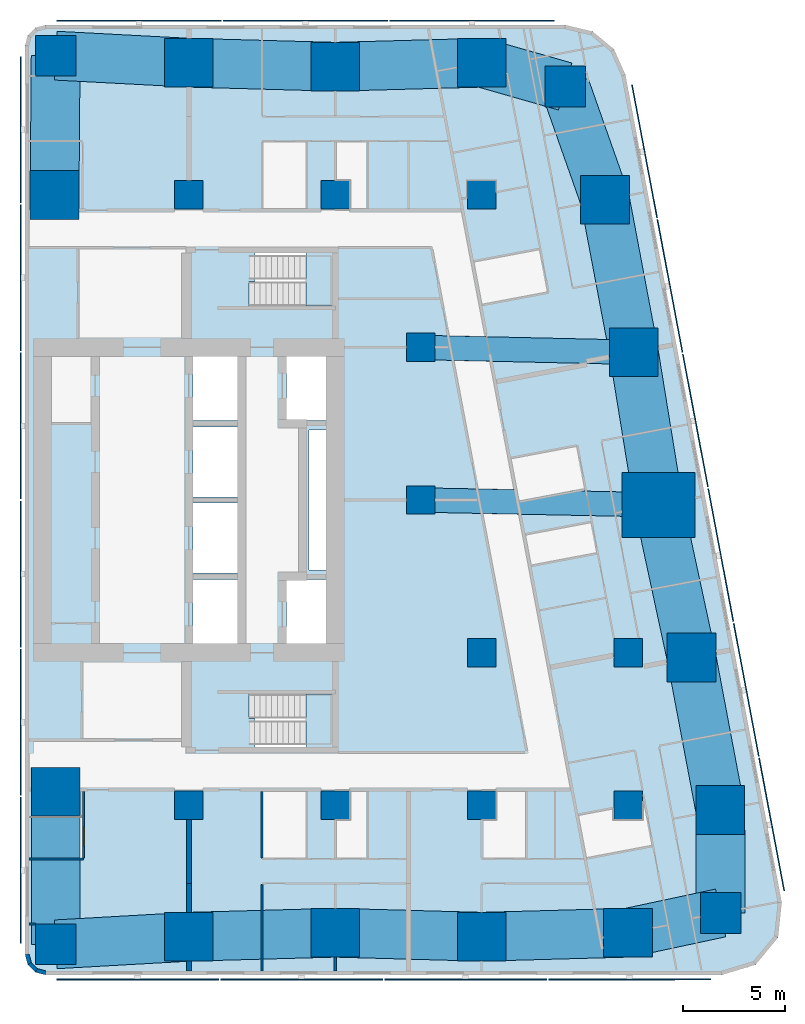
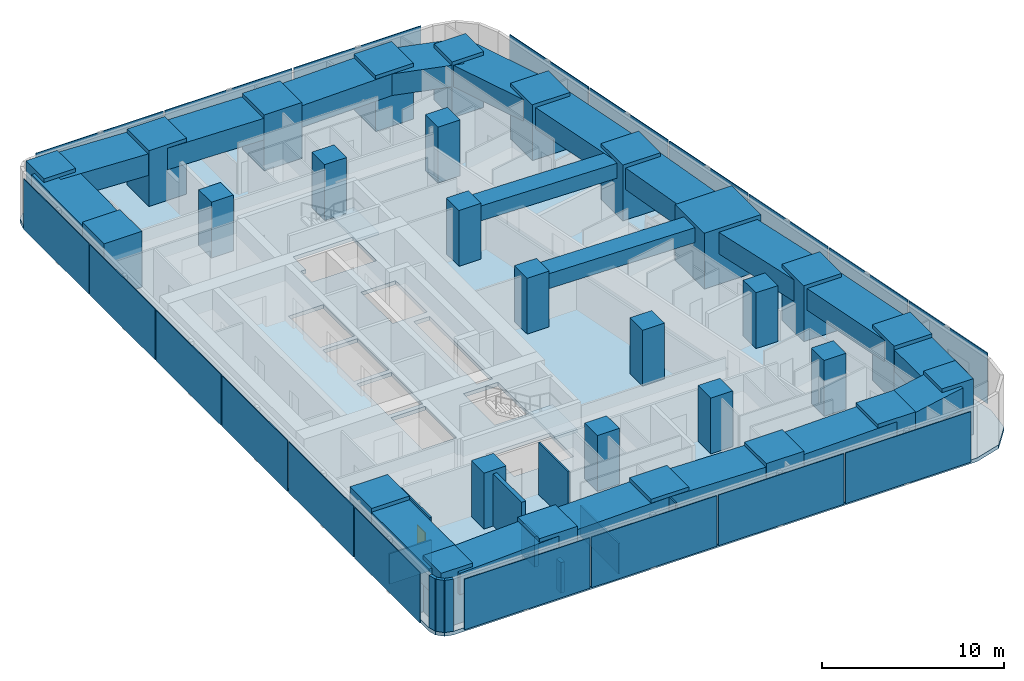
# One storey, part 1 of 10: 29 columns, 19 beams, 19 plates, 12 walls, 3 slabs, 1 door, 1 opening, 2 elements without a shape of their own.
"""IFC4 building model written with IfcOpenShell, lengths in metres."""

import ifcopenshell
import ifcopenshell.guid

model = None  # the IFC model being written
_history = None  # IfcOwnerHistory: only IFC2X3 demands one
_inside = {}  # id of a spatial element -> (the spatial element, [elements in it])
_under = {}  # id of a project, library or spatial element -> (it, [spatial elements below it])
_declared = {}  # id of a project -> (the project, [libraries it declares])
_typed = {}  # id of a type object -> (the type object, [elements of that type])
_made_of = {}  # id of a material, layer set ... -> (it, [elements and type objects made of it])


def new_model(schema):
    """Start an empty IFC model of exactly this schema.

    Asked for "IFC4X3", IfcOpenShell would pick the latest addendum, in which some entities
    have other attributes; the version numbers below select the first issue.
    IFC2X3 requires an IfcOwnerHistory on every rooted entity: one is made here for all.
    """
    global model, _history
    if schema == "IFC4X3":
        model = ifcopenshell.file(schema_version=(4, 3, 0, 0))
    else:
        model = ifcopenshell.file(schema=schema)
    _inside.clear()
    _under.clear()
    _declared.clear()
    _typed.clear()
    _made_of.clear()
    _history = None
    if model.schema == "IFC2X3":
        org = make("IfcOrganization", Name="unknown")
        user = make(
            "IfcPersonAndOrganization",
            ThePerson=make("IfcPerson", FamilyName="unknown"),
            TheOrganization=org,
        )
        app = make(
            "IfcApplication",
            ApplicationDeveloper=org,
            Version="unknown",
            ApplicationFullName="unknown",
            ApplicationIdentifier="unknown",
        )
        _history = make(
            "IfcOwnerHistory",
            OwningUser=user,
            OwningApplication=app,
            ChangeAction="ADDED",
            CreationDate=0,
        )
    return model


def make(cls, **values):
    """One entity of the class cls with the attributes given. An attribute that is None is left unset."""
    return model.create_entity(
        cls, **{name: value for name, value in values.items() if value is not None}
    )


def rooted(cls, **values):
    """An entity with a GlobalId (a new one), such as an element, a storey or a relation."""
    return make(cls, GlobalId=ifcopenshell.guid.new(), OwnerHistory=_history, **values)


def si_unit(unit_type, name, prefix=None):
    """IfcSIUnit, for example si_unit("LENGTHUNIT", "METRE", prefix="MILLI")."""
    return make("IfcSIUnit", UnitType=unit_type, Prefix=prefix, Name=name)


def assignment(units):
    """IfcUnitAssignment: the units of a project."""
    return None if units is None else make("IfcUnitAssignment", Units=units)


def point(xyz):
    """IfcCartesianPoint."""
    return None if xyz is None else make("IfcCartesianPoint", Coordinates=xyz)


def direction(xyz):
    """IfcDirection."""
    return None if xyz is None else make("IfcDirection", DirectionRatios=xyz)


def frame(location, z_axis=None, x_axis=None):
    """IfcAxis2Placement3D, a coordinate frame: its origin and axes. An axis left out is left unset."""
    return make(
        "IfcAxis2Placement3D",
        Location=point(location),
        Axis=direction(z_axis),
        RefDirection=direction(x_axis),
    )


def frame_2d(location, x_axis=None):
    """IfcAxis2Placement2D, a coordinate frame in the plane: its origin and x axis."""
    return make(
        "IfcAxis2Placement2D", Location=point(location), RefDirection=direction(x_axis)
    )


def origin():
    """The frame at (0, 0, 0) with its axes left unset."""
    return frame((0.0, 0.0, 0.0))


def origin_2d():
    """The frame at (0, 0) in the plane with its x axis left unset."""
    return frame_2d((0.0, 0.0))


def place(relative_to, where):
    """IfcLocalPlacement: puts the frame where relative to a parent placement (None: the world)."""
    return make(
        "IfcLocalPlacement", PlacementRelTo=relative_to, RelativePlacement=where
    )


def context(
    kind, dimensions, precision=None, world=None, true_north=None, identifier=None
):
    """IfcGeometricRepresentationContext, for example the 3D "Model" context."""
    return make(
        "IfcGeometricRepresentationContext",
        ContextIdentifier=identifier,
        ContextType=kind,
        CoordinateSpaceDimension=dimensions,
        Precision=precision,
        WorldCoordinateSystem=world,
        TrueNorth=true_north,
    )


def subcontext(parent, identifier, kind, view, scale=None):
    """IfcGeometricRepresentationSubContext, for example "Body" below "Model"."""
    return make(
        "IfcGeometricRepresentationSubContext",
        ContextIdentifier=identifier,
        ContextType=kind,
        ParentContext=parent,
        TargetScale=scale,
        TargetView=view,
    )


def project(units=None, contexts=None):
    """IfcProject with its units and contexts."""
    return rooted(
        "IfcProject",
        Name="project",
        RepresentationContexts=contexts,
        UnitsInContext=assignment(units),
    )


def spatial(cls, under=None, at=None, **own):
    """A site, building, storey or space (cls), placed at a placement, below another one or the project."""
    s = rooted(cls, ObjectPlacement=at, **own)
    if under is not None:
        _under.setdefault(under.id(), (under, []))[1].append(s)
    return s


def polyline(points):
    """IfcPolyline through the points."""
    return make("IfcPolyline", Points=[point(p) for p in points])


def profile(cls, at=None, kind="AREA", **sizes):
    """A parametric profile (cls). Its sizes go by their IFC names, for example OverallWidth=200.0."""
    return make(cls, ProfileType=kind, Position=at, **sizes)


def rectangle(**sizes):
    """IfcRectangleProfileDef."""
    return profile("IfcRectangleProfileDef", **sizes)


def outline(outer, holes=None, kind="AREA"):
    """IfcArbitraryClosedProfileDef: a profile drawn as a closed curve; with holes, ...WithVoids."""
    if holes is None:
        return make("IfcArbitraryClosedProfileDef", ProfileType=kind, OuterCurve=outer)
    return make(
        "IfcArbitraryProfileDefWithVoids",
        ProfileType=kind,
        OuterCurve=outer,
        InnerCurves=holes,
    )


def extrude(swept, where, along, depth):
    """IfcExtrudedAreaSolid: the profile swept, set in the frame where, extruded along a direction by depth."""
    return make(
        "IfcExtrudedAreaSolid",
        SweptArea=swept,
        Position=where,
        ExtrudedDirection=direction(along),
        Depth=depth,
    )


def shape(context_of_items, identifier, shape_type, items):
    """IfcShapeRepresentation: the items that make up one representation, for example the "Body"."""
    return make(
        "IfcShapeRepresentation",
        ContextOfItems=context_of_items,
        RepresentationIdentifier=identifier,
        RepresentationType=shape_type,
        Items=items,
    )


def material(Name=None, Category=None):
    """IfcMaterial."""
    return make("IfcMaterial", Name=Name, Category=Category)


def layer(
    of_material, thickness, ventilated=None, Name=None, Category=None, Priority=None
):
    """IfcMaterialLayer: one layer of a wall or slab, of a material (None: an air gap)."""
    return make(
        "IfcMaterialLayer",
        Material=of_material,
        LayerThickness=thickness,
        IsVentilated=ventilated,
        Name=Name,
        Category=Category,
        Priority=Priority,
    )


def layer_set(layers, Name=None):
    """IfcMaterialLayerSet."""
    return make("IfcMaterialLayerSet", MaterialLayers=layers, LayerSetName=Name)


def material_profile(
    of_material, cross_section, Name=None, Category=None, Priority=None
):
    """IfcMaterialProfile: a cross section and its material."""
    return make(
        "IfcMaterialProfile",
        Name=Name,
        Material=of_material,
        Profile=cross_section,
        Priority=Priority,
        Category=Category,
    )


def profile_set(profiles, Name=None, composite=None):
    """IfcMaterialProfileSet."""
    return make(
        "IfcMaterialProfileSet",
        Name=Name,
        MaterialProfiles=profiles,
        CompositeProfile=composite,
    )


def made_of(thing, what):
    """Note that an element or type object is made of a material, layer set ...; save() writes the relation."""
    if what is not None:
        _made_of.setdefault(what.id(), (what, []))[1].append(thing)
    return thing


def type_object(cls, material=None, **own):
    """A type object (cls), such as IfcWallType, which elements share."""
    return made_of(rooted(cls, **own), material)


def element(
    cls,
    number,
    at=None,
    inside=None,
    cuts=None,
    type_object=None,
    material=None,
    context=None,
    identifier="Body",
    shape_type=None,
    held_by="IfcProductDefinitionShape",
    body=None,
    shapes=None,
    **own,
):
    """One element of the class cls, such as IfcWall. Its Tag is "e" and its number.

    at: its placement. inside: the storey or other place that contains it. cuts: it is an
    opening in that element (IfcRelVoidsElement). A single representation is given by context,
    identifier, shape_type and body (its items); several are given by shapes. held_by: the class
    of the entity that holds the representations. save() writes the other relations.
    """
    e = rooted(cls, Tag="e%d" % number, ObjectPlacement=at, **own)
    if body is not None:
        shapes = [shape(context, identifier, shape_type, body)]
    if shapes is not None:
        e.Representation = make(held_by, Representations=shapes)
    if inside is not None:
        _inside.setdefault(inside.id(), (inside, []))[1].append(e)
    if cuts is not None:
        rooted(
            "IfcRelVoidsElement", RelatingBuildingElement=cuts, RelatedOpeningElement=e
        )
    if type_object is not None:
        _typed.setdefault(type_object.id(), (type_object, []))[1].append(e)
    return made_of(e, material)


def fill(opening, filler):
    """IfcRelFillsElement: the door or window that sits in an opening."""
    return rooted(
        "IfcRelFillsElement",
        RelatingOpeningElement=opening,
        RelatedBuildingElement=filler,
    )


def aggregate(whole, parts):
    """IfcRelAggregates: a whole, such as a stair, and the parts it consists of."""
    return rooted("IfcRelAggregates", RelatingObject=whole, RelatedObjects=parts)


def save(model, path):
    """Write the relations noted so far, then the file.

    IfcRelAggregates (storeys below a building ...), IfcRelContainedInSpatialStructure (elements
    in a storey), IfcRelDefinesByType, IfcRelAssociatesMaterial and IfcRelDeclares: one each for
    every whole, place, type object, material and project.
    """
    for whole, parts in _under.values():
        aggregate(whole, parts)
    for where, things in _inside.values():
        rooted(
            "IfcRelContainedInSpatialStructure",
            RelatedElements=things,
            RelatingStructure=where,
        )
    for kind, things in _typed.values():
        rooted("IfcRelDefinesByType", RelatedObjects=things, RelatingType=kind)
    for what, things in _made_of.values():
        rooted("IfcRelAssociatesMaterial", RelatedObjects=things, RelatingMaterial=what)
    for by, libraries in _declared.values():
        rooted("IfcRelDeclares", RelatingContext=by, RelatedDefinitions=libraries)
    model.write(path)


model = new_model("IFC4")

# Units and contexts
model_context = context("Model", 3, precision=1e-05, world=origin(), true_north=direction((0.0, 1.0)))
body_context = subcontext(model_context, "Body", "Model", "MODEL_VIEW")
ifc_project = project(units=[si_unit("LENGTHUNIT", "METRE"), si_unit("AREAUNIT", "SQUARE_METRE"), si_unit("VOLUMEUNIT", "CUBIC_METRE"), si_unit("PLANEANGLEUNIT", "RADIAN"), si_unit("MASSUNIT", "GRAM", prefix="KILO")], contexts=[model_context])

# Site, building, storey
site_placement = place(None, origin())
site = spatial("IfcSite", under=ifc_project, at=site_placement, CompositionType="ELEMENT")
building_placement = place(site_placement, origin())
building = spatial("IfcBuilding", under=site, at=building_placement, Name="Sheger Commons Tower", CompositionType="ELEMENT")
storey_placement = place(building_placement, frame((0.0, 0.0, 238.699951171875)))
storey = spatial("IfcBuildingStorey", under=building, at=storey_placement, Name="L61", CompositionType="ELEMENT", Elevation=238.699951171875)

# Columns
ifc_material_1 = material(Name="Concrete C50/60", Category="concrete")
ifc_material_profile_1 = material_profile(ifc_material_1, rectangle(XDim=3.60009765625, YDim=3.199951171875, at=origin_2d()), Name="RC 3600x3200")
ifc_profile_set_1 = profile_set([ifc_material_profile_1], Name="Concrete C50/60")
column_type_1 = type_object("IfcColumnType", Name="COLUMN PIER RC 3600x3200", PredefinedType="COLUMN", material=ifc_profile_set_1)
column_placement = place(storey_placement, frame((44.697021484375, 22.262939453125, 0.0), z_axis=(0.0, 0.0, 1.0), x_axis=(1.0, 0.0, 0.0)))
element("IfcColumn", 1, at=column_placement, inside=storey, type_object=column_type_1, Name="Pier 7/D+E/D L61", PredefinedType="COLUMN", context=body_context, shape_type="SweptSolid", body=[
    extrude(rectangle(XDim=3.60009765625, YDim=3.199951171875, at=origin_2d()), origin(), (0.0, 0.0, 1.0), 3.75),
])
ifc_material_2 = material(Name="Concrete C50/60", Category="concrete")
ifc_material_profile_2 = material_profile(ifc_material_2, rectangle(XDim=1.39990234375, YDim=1.39990234375, at=origin_2d()), Name="RC 1400x1400")
ifc_profile_set_2 = profile_set([ifc_material_profile_2], Name="Concrete C50/60")
column_type_2 = type_object("IfcColumnType", Name="COLUMN RC 1400x1400", PredefinedType="COLUMN", material=ifc_profile_set_2)
for number, where, z_axis, x_axis, name in (
    (2, (21.60009765625, 7.5, 0.0), (0.0, 0.0, 1.0), (1.0, 0.0, 0.0), "Column 4/B L61"),
    (3, (28.800048828125, 7.5, 0.0), (0.0, 0.0, 1.0), (1.0, 0.0, 0.0), "Column 5/B L61"),
    (4, (36.0, 7.5, 0.0), (0.0, 0.0, 1.0), (1.0, 0.0, 0.0), "Column 6/B L61"),
    (5, (43.199951171875, 7.5, 0.0), (0.0, 0.0, 1.0), (1.0, 0.0, 0.0), "Column 7/B L61"),
    (6, (36.0, 15.0, 0.0), (0.0, 0.0, 1.0), (1.0, 0.0, 0.0), "Column 6/C L61"),
    (7, (43.199951171875, 15.0, 0.0), (0.0, 0.0, 1.0), (1.0, 0.0, 0.0), "Column 7/C L61"),
    (8, (33.0, 22.5, 0.0), (0.0, 0.0, 1.0), (1.0, 0.0, 0.0), "Column 6-3000/D L61"),
    (9, (33.0, 30.0, 0.0), (0.0, 0.0, 1.0), (1.0, 0.0, 0.0), "Column 6-3000/E L61"),
    (10, (21.60009765625, 37.5, 0.0), (0.0, 0.0, 1.0), (1.0, 0.0, 0.0), "Column 4/F L61"),
    (11, (28.800048828125, 37.5, 0.0), (0.0, 0.0, 1.0), (1.0, 0.0, 0.0), "Column 5/F L61"),
    (12, (36.0, 37.5, 0.0), (0.0, 0.0, 1.0), (1.0, 0.0, 0.0), "Column 6/F L61"),
):
    element("IfcColumn", number, at=place(storey_placement, frame(where, z_axis=z_axis, x_axis=x_axis)), inside=storey, type_object=column_type_2, Name=name, PredefinedType="COLUMN", context=body_context, shape_type="SweptSolid", body=[
        extrude(rectangle(XDim=1.39990234375, YDim=1.39990234375, at=origin_2d()), origin(), (0.0, 0.0, 1.0), 3.75),
    ])
ifc_material_3 = material(Name="Concrete C50/60", Category="concrete")
ifc_material_profile_3 = material_profile(ifc_material_3, rectangle(XDim=2.0, YDim=2.0, at=origin_2d()), Name="RC 2000x2000")
ifc_profile_set_3 = profile_set([ifc_material_profile_3], Name="Concrete C50/60")
column_type_3 = type_object("IfcColumnType", Name="COLUMN RC 2000x2000", PredefinedType="COLUMN", material=ifc_profile_set_3)
for number, where, z_axis, x_axis, name in (
    (13, (15.053955078125, 0.654052734375, 0.0), (0.0, 0.0, 1.0), (1.0, 0.0, 0.0), "Column 3/A L61"),
    (14, (47.748046875, 2.197021484375, 0.0), (0.0, 0.0, 1.0), (1.0, 0.0, 0.0), "Column 49.461,0.778 L61"),
    (15, (40.10205078125, 42.830078125, 0.0), (0.0, 0.0, 1.0), (1.0, 0.0, 0.0), "Column 41.490,44.505 L61"),
    (16, (15.053955078125, 44.345947265625, 0.0), (0.0, 0.0, 1.0), (1.0, 0.0, 0.0), "Column 3/G L61"),
):
    element("IfcColumn", number, at=place(storey_placement, frame(where, z_axis=z_axis, x_axis=x_axis)), inside=storey, type_object=column_type_3, Name=name, PredefinedType="COLUMN", context=body_context, shape_type="SweptSolid", body=[
        extrude(rectangle(XDim=2.0, YDim=2.0, at=origin_2d()), origin(), (0.0, 0.0, 1.0), 3.75),
    ])
ifc_material_4 = material(Name="Concrete C50/60", Category="concrete")
ifc_material_profile_4 = material_profile(ifc_material_4, rectangle(XDim=2.39990234375, YDim=2.39990234375, at=origin_2d()), Name="RC 2400x2400")
ifc_profile_set_4 = profile_set([ifc_material_profile_4], Name="Concrete C50/60")
column_type_4 = type_object("IfcColumnType", Name="COLUMN RC 2400x2400", PredefinedType="COLUMN", material=ifc_profile_set_4)
for number, where, z_axis, x_axis, name in (
    (17, (21.60009765625, 1.02490234375, 0.0), (0.0, 0.0, 1.0), (1.0, 0.0, 0.0), "Column 4/A L61"),
    (18, (28.800048828125, 1.22509765625, 0.0), (0.0, 0.0, 1.0), (1.0, 0.0, 0.0), "Column 5/A L61"),
    (19, (36.0, 1.02490234375, 0.0), (0.0, 0.0, 1.0), (1.0, 0.0, 0.0), "Column 6/A L61"),
    (20, (43.199951171875, 1.22509765625, 0.0), (0.0, 0.0, 1.0), (1.0, 0.0, 0.0), "Column 7/A L61"),
    (21, (15.053955078125, 8.154052734375, 0.0), (0.0, 0.0, 1.0), (1.0, 0.0, 0.0), "Column 3/B L61"),
    (22, (47.72998046875, 7.262939453125, 0.0), (0.0, 0.0, 1.0), (1.0, 0.0, 0.0), "Column E/B L61"),
    (23, (46.31396484375, 14.762939453125, 0.0), (0.0, 0.0, 1.0), (1.0, 0.0, 0.0), "Column E/C L61"),
    (24, (43.47998046875, 29.762939453125, 0.0), (0.0, 0.0, 1.0), (1.0, 0.0, 0.0), "Column E/E L61"),
    (25, (15.0, 37.5, 0.0), (0.0, 0.0, 1.0), (1.0, 0.0, 0.0), "Column 3/F L61"),
    (26, (42.06396484375, 37.262939453125, 0.0), (0.0, 0.0, 1.0), (1.0, 0.0, 0.0), "Column E/F L61"),
    (27, (21.60009765625, 44.0, 0.0), (0.0, 0.0, 1.0), (1.0, 0.0, 0.0), "Column 4/G L61"),
    (28, (28.800048828125, 43.800048828125, 0.0), (0.0, 0.0, 1.0), (1.0, 0.0, 0.0), "Column 5/G L61"),
    (29, (36.0, 44.0, 0.0), (0.0, 0.0, 1.0), (1.0, 0.0, 0.0), "Column 6/G L61"),
):
    element("IfcColumn", number, at=place(storey_placement, frame(where, z_axis=z_axis, x_axis=x_axis)), inside=storey, type_object=column_type_4, Name=name, PredefinedType="COLUMN", context=body_context, shape_type="SweptSolid", body=[
        extrude(rectangle(XDim=2.39990234375, YDim=2.39990234375, at=origin_2d()), origin(), (0.0, 0.0, 1.0), 3.75),
    ])

# Beams
ifc_material_5 = material(Name="Concrete C50/60", Category="concrete")
ifc_material_profile_5 = material_profile(ifc_material_5, rectangle(XDim=1.199951171875, YDim=1.0, at=origin_2d()), Name="RC 1200x1000")
ifc_profile_set_5 = profile_set([ifc_material_profile_5], Name="Concrete C50/60")
beam_type_1 = type_object("IfcBeamType", Name="BEAM RC 1200x1000", PredefinedType="BEAM", material=ifc_profile_set_5)
beam_1_placement = place(storey_placement, frame((33.0, 22.5, 3.0), z_axis=(0.999794692776, -0.02026258368, 0.0), x_axis=(0.02026258368, 0.999794692776, 0.0)))
element("IfcBeam", 30, at=beam_1_placement, inside=storey, type_object=beam_type_1, Name="Beam 6-3000/D-7/D under L62", PredefinedType="BEAM", context=body_context, shape_type="SweptSolid", body=[
    extrude(rectangle(XDim=1.199951171875, YDim=1.0, at=origin_2d()), origin(), (0.0, 0.0, 1.0), 11.699462890625),
])
beam_2_placement = place(storey_placement, frame((33.0, 30.0, 3.0), z_axis=(0.999744258625, -0.022614538395, 0.0), x_axis=(0.022614538395, 0.999744258625, 0.0)))
element("IfcBeam", 31, at=beam_2_placement, inside=storey, type_object=beam_type_1, Name="Beam 6-3000/E-E/E under L62", PredefinedType="BEAM", context=body_context, shape_type="SweptSolid", body=[
    extrude(rectangle(XDim=1.199951171875, YDim=1.0, at=origin_2d()), origin(), (0.0, 0.0, 1.0), 10.482666015625),
])
ifc_material_6 = material(Name="Concrete C50/60", Category="concrete")
ifc_material_profile_6 = material_profile(ifc_material_6, rectangle(XDim=2.39990234375, YDim=1.449951171875, at=origin_2d()), Name="RC 2400x1450")
ifc_profile_set_6 = profile_set([ifc_material_profile_6], Name="Concrete C50/60")
beam_type_2 = type_object("IfcBeamType", Name="SPANDREL RC 2400x1450", PredefinedType="SPANDREL", material=ifc_profile_set_6)
beam_3_placement = place(storey_placement, frame((15.053955078125, 0.654052734375, 2.775146484375), z_axis=(0.998399149044, 0.056560933405, 0.0), x_axis=(-0.056560933405, 0.998399149044, 0.0)))
element("IfcBeam", 32, at=beam_3_placement, inside=storey, type_object=beam_type_2, Name="Beam 3/A-4/A under L62", PredefinedType="SPANDREL", context=body_context, shape_type="SweptSolid", body=[
    extrude(rectangle(XDim=2.39990234375, YDim=1.449951171875, at=origin_2d()), origin(), (0.0, 0.0, 1.0), 6.556640625),
])
for number, where, z_axis, x_axis, name in (
    (33, (21.60009765625, 1.02490234375, 2.775146484375), (0.9996136624, 0.027794350926, 0.0), (-0.027794350926, 0.9996136624, 0.0), "Beam 4/A-5/A under L62"),
    (34, (28.800048828125, 1.22509765625, 2.775146484375), (0.9996136624, -0.027794350926, 0.0), (0.027794350926, 0.9996136624, 0.0), "Beam 5/A-6/A under L62"),
    (35, (36.0, 1.02490234375, 2.775146484375), (0.9996136624, 0.027794350926, 0.0), (-0.027794350926, 0.9996136624, 0.0), "Beam 6/A-7/A under L62"),
):
    element("IfcBeam", number, at=place(storey_placement, frame(where, z_axis=z_axis, x_axis=x_axis)), inside=storey, type_object=beam_type_2, Name=name, PredefinedType="SPANDREL", context=body_context, shape_type="SweptSolid", body=[
        extrude(rectangle(XDim=2.39990234375, YDim=1.449951171875, at=origin_2d()), origin(), (0.0, 0.0, 1.0), 7.20263671875),
    ])
beam_4_placement = place(storey_placement, frame((43.199951171875, 1.22509765625, 2.775146484375), z_axis=(0.977919796671, 0.208980552394, 0.0), x_axis=(-0.208980552394, 0.977919796671, 0.0)))
element("IfcBeam", 36, at=beam_4_placement, inside=storey, type_object=beam_type_2, Name="Beam 7/A-49.461,0.778 under L62", PredefinedType="SPANDREL", context=body_context, shape_type="SweptSolid", body=[
    extrude(rectangle(XDim=2.39990234375, YDim=1.449951171875, at=origin_2d()), origin(), (0.0, 0.0, 1.0), 4.65087890625),
])
beam_5_placement = place(storey_placement, frame((47.748046875, 2.197021484375, 2.775146484375), z_axis=(-0.003566242382, 0.999993640937, 0.0), x_axis=(-0.999993640937, -0.003566242382, 0.0)))
element("IfcBeam", 37, at=beam_5_placement, inside=storey, type_object=beam_type_2, Name="Beam 49.461,0.778-E/B under L62", PredefinedType="SPANDREL", context=body_context, shape_type="SweptSolid", body=[
    extrude(rectangle(XDim=2.39990234375, YDim=1.449951171875, at=origin_2d()), origin(), (0.0, 0.0, 1.0), 5.06591796875),
])
beam_6_placement = place(storey_placement, frame((47.72998046875, 7.262939453125, 2.775146484375), z_axis=(-0.18552441405, 0.982639655108, 0.0), x_axis=(-0.982639655108, -0.18552441405, 0.0)))
element("IfcBeam", 38, at=beam_6_placement, inside=storey, type_object=beam_type_2, Name="Beam E/B-E/C under L62", PredefinedType="SPANDREL", context=body_context, shape_type="SweptSolid", body=[
    extrude(rectangle(XDim=2.39990234375, YDim=1.449951171875, at=origin_2d()), origin(), (0.0, 0.0, 1.0), 7.632568359375),
])
beam_7_placement = place(storey_placement, frame((46.31396484375, 14.762939453125, 2.775146484375), z_axis=(-0.210750229323, 0.977539943348, 0.0), x_axis=(-0.977539943348, -0.210750229323, 0.0)))
element("IfcBeam", 39, at=beam_7_placement, inside=storey, type_object=beam_type_2, Name="Beam E/C-E/D under L62", PredefinedType="SPANDREL", context=body_context, shape_type="SweptSolid", body=[
    extrude(rectangle(XDim=2.39990234375, YDim=1.449951171875, at=origin_2d()), origin(), (0.0, 0.0, 1.0), 7.67236328125),
])
beam_8_placement = place(storey_placement, frame((44.697021484375, 22.262939453125, 2.775146484375), z_axis=(-0.160176929512, 0.987088319884, 0.0), x_axis=(-0.987088319884, -0.160176929512, 0.0)))
element("IfcBeam", 40, at=beam_8_placement, inside=storey, type_object=beam_type_2, Name="Beam E/D-E/E under L62", PredefinedType="SPANDREL", context=body_context, shape_type="SweptSolid", body=[
    extrude(rectangle(XDim=2.39990234375, YDim=1.449951171875, at=origin_2d()), origin(), (0.0, 0.0, 1.0), 7.59814453125),
])
beam_9_placement = place(storey_placement, frame((43.47998046875, 29.762939453125, 2.775146484375), z_axis=(-0.18552441405, 0.982639655108, 0.0), x_axis=(-0.982639655108, -0.18552441405, 0.0)))
element("IfcBeam", 41, at=beam_9_placement, inside=storey, type_object=beam_type_2, Name="Beam E/E-E/F under L62", PredefinedType="SPANDREL", context=body_context, shape_type="SweptSolid", body=[
    extrude(rectangle(XDim=2.39990234375, YDim=1.449951171875, at=origin_2d()), origin(), (0.0, 0.0, 1.0), 7.632568359375),
])
beam_10_placement = place(storey_placement, frame((42.06396484375, 37.262939453125, 2.775146484375), z_axis=(-0.332374403357, 0.943147526102, 0.0), x_axis=(-0.943147526102, -0.332374403357, 0.0)))
element("IfcBeam", 42, at=beam_10_placement, inside=storey, type_object=beam_type_2, Name="Beam E/F-41.490,44.505 under L62", PredefinedType="SPANDREL", context=body_context, shape_type="SweptSolid", body=[
    extrude(rectangle(XDim=2.39990234375, YDim=1.449951171875, at=origin_2d()), origin(), (0.0, 0.0, 1.0), 5.90283203125),
])
beam_11_placement = place(storey_placement, frame((40.10205078125, 42.830078125, 2.775146484375), z_axis=(-0.961653428129, 0.274267541221, 0.0), x_axis=(-0.274267541221, -0.961653428129, 0.0)))
element("IfcBeam", 43, at=beam_11_placement, inside=storey, type_object=beam_type_2, Name="Beam 41.490,44.505-6/G under L62", PredefinedType="SPANDREL", context=body_context, shape_type="SweptSolid", body=[
    extrude(rectangle(XDim=2.39990234375, YDim=1.449951171875, at=origin_2d()), origin(), (0.0, 0.0, 1.0), 4.265625),
])
for number, where, z_axis, x_axis, name in (
    (44, (36.0, 44.0, 2.775146484375), (-0.999614603568, -0.027760481514, 0.0), (0.027760481514, -0.999614603568, 0.0), "Beam 6/G-5/G under L62"),
    (45, (28.800048828125, 43.800048828125, 2.775146484375), (-0.999614603568, 0.027760481514, 0.0), (-0.027760481514, -0.999614603568, 0.0), "Beam 5/G-4/G under L62"),
):
    element("IfcBeam", number, at=place(storey_placement, frame(where, z_axis=z_axis, x_axis=x_axis)), inside=storey, type_object=beam_type_2, Name=name, PredefinedType="SPANDREL", context=body_context, shape_type="SweptSolid", body=[
        extrude(rectangle(XDim=2.39990234375, YDim=1.449951171875, at=origin_2d()), origin(), (0.0, 0.0, 1.0), 7.20263671875),
    ])
beam_12_placement = place(storey_placement, frame((21.60009765625, 44.0, 2.775146484375), z_axis=(-0.998606489137, 0.052773855783, 0.0), x_axis=(-0.052773855783, -0.998606489137, 0.0)))
element("IfcBeam", 46, at=beam_12_placement, inside=storey, type_object=beam_type_2, Name="Beam 4/G-3/G under L62", PredefinedType="SPANDREL", context=body_context, shape_type="SweptSolid", body=[
    extrude(rectangle(XDim=2.39990234375, YDim=1.449951171875, at=origin_2d()), origin(), (0.0, 0.0, 1.0), 6.55517578125),
])
beam_13_placement = place(storey_placement, frame((15.053955078125, 44.345947265625, 2.775146484375), z_axis=(-0.00788107188, -0.999968943871, 0.0), x_axis=(0.999968943871, -0.00788107188, 0.0)))
element("IfcBeam", 47, at=beam_13_placement, inside=storey, type_object=beam_type_2, Name="Beam 3/G-3/F under L62", PredefinedType="SPANDREL", context=body_context, shape_type="SweptSolid", body=[
    extrude(rectangle(XDim=2.39990234375, YDim=1.449951171875, at=origin_2d()), origin(), (0.0, 0.0, 1.0), 6.84619140625),
])
beam_14_placement = place(storey_placement, frame((15.053955078125, 8.154052734375, 2.775146484375), z_axis=(0.0, -1.0, 0.0), x_axis=(1.0, 0.0, 0.0)))
element("IfcBeam", 48, at=beam_14_placement, inside=storey, type_object=beam_type_2, Name="Beam 3/B-3/A under L62", PredefinedType="SPANDREL", context=body_context, shape_type="SweptSolid", body=[
    extrude(rectangle(XDim=2.39990234375, YDim=1.449951171875, at=origin_2d()), origin(), (0.0, 0.0, 1.0), 7.5),
])

# Slab
ifc_material_7 = material(Name="Concrete C35/45", Category="concrete")
ifc_layer_1 = layer(ifc_material_7, 0.25)
ifc_layer_set_1 = layer_set([ifc_layer_1], Name="SLAB FLOOR 250")
slab_type_1 = type_object("IfcSlabType", Name="SLAB FLOOR 250", PredefinedType="FLOOR", material=ifc_layer_set_1)
slab_1_placement = place(storey_placement, frame((0.0, 0.0, -0.25)))
element("IfcSlab", 49, at=slab_1_placement, inside=storey, type_object=slab_type_1, Name="L61 floor slab", PredefinedType="FLOOR", context=body_context, shape_type="SweptSolid", body=[
    extrude(outline(polyline([(13.550048828125, 0.14990234375), (13.68408203125, -0.35009765625), (14.050048828125, -0.716064453125), (14.550048828125, -0.85009765625), (47.805908203125, -0.85009765625), (49.465087890625, -0.35009765625), (50.570068359375, 0.98388671875), (50.75390625, 2.70703125), (43.06591796875, 43.406982421875), (42.509033203125, 44.660888671875), (41.452880859375, 45.535888671875), (40.117919921875, 45.85009765625), (14.550048828125, 45.85009765625), (14.050048828125, 45.716064453125), (13.68408203125, 45.35009765625), (13.550048828125, 44.85009765625), (13.550048828125, 0.14990234375)]), holes=[polyline([(24.85009765625, 10.35009765625), (28.64990234375, 10.35009765625), (28.64990234375, 12.949951171875), (24.551025390625, 12.949951171875), (24.551025390625, 11.75), (24.85009765625, 11.75), (24.85009765625, 10.35009765625)]), polyline([(24.551025390625, 32.050048828125), (28.64990234375, 32.050048828125), (28.64990234375, 34.64990234375), (24.85009765625, 34.64990234375), (24.85009765625, 33.25), (24.551025390625, 33.25), (24.551025390625, 32.050048828125)]), polyline([(26.39990234375, 15.14990234375), (28.60009765625, 15.14990234375), (28.60009765625, 18.60009765625), (26.39990234375, 18.60009765625), (26.39990234375, 15.14990234375)]), polyline([(26.39990234375, 26.39990234375), (28.60009765625, 26.39990234375), (28.60009765625, 29.85009765625), (26.39990234375, 29.85009765625), (26.39990234375, 26.39990234375)]), polyline([(21.800048828125, 15.14990234375), (24.0, 15.14990234375), (24.0, 18.60009765625), (21.800048828125, 18.60009765625), (21.800048828125, 15.14990234375)]), polyline([(21.800048828125, 18.89990234375), (24.0, 18.89990234375), (24.0, 22.35009765625), (21.800048828125, 22.35009765625), (21.800048828125, 18.89990234375)]), polyline([(21.800048828125, 22.64990234375), (24.0, 22.64990234375), (24.0, 26.10009765625), (21.800048828125, 26.10009765625), (21.800048828125, 22.64990234375)]), polyline([(21.800048828125, 26.39990234375), (24.0, 26.39990234375), (24.0, 29.85009765625), (21.800048828125, 29.85009765625), (21.800048828125, 26.39990234375)]), polyline([(27.5, 19.050048828125), (28.5, 19.050048828125), (28.5, 25.949951171875), (27.5, 25.949951171875), (27.5, 19.050048828125)])]), origin(), (0.0, 0.0, 1.0), 0.25),
])

# Plates
ifc_material_8 = material(Name="Perforated black anodised aluminium screen", Category="aluminium")
ifc_layer_2 = layer(ifc_material_8, 0.050048828125)
ifc_layer_set_2 = layer_set([ifc_layer_2], Name="SOLAR SCREEN SCREEN-1")
plate_type = type_object("IfcPlateType", Name="SOLAR SCREEN SCREEN-1", PredefinedType="USERDEFINED", material=ifc_layer_set_2)
for number, where, z_axis, x_axis, name in (
    (50, (19.08203125, -1.074951171875, 0.050048828125), (0.0, 0.0, 1.0), (1.0, 0.0, 0.0), "Perforated solar screen panel"),
    (51, (27.14599609375, -1.074951171875, 0.050048828125), (0.0, 0.0, 1.0), (1.0, 0.0, 0.0), "Perforated solar screen panel"),
    (52, (35.2099609375, -1.074951171875, 0.050048828125), (0.0, 0.0, 1.0), (1.0, 0.0, 0.0), "Perforated solar screen panel"),
    (53, (43.27392578125, -1.074951171875, 0.050048828125), (0.0, 0.0, 1.0), (1.0, 0.0, 0.0), "Perforated solar screen panel"),
):
    element("IfcPlate", number, at=place(storey_placement, frame(where, z_axis=z_axis, x_axis=x_axis)), inside=storey, type_object=plate_type, Name=name, ObjectType="SCREEN", PredefinedType="USERDEFINED", context=body_context, shape_type="SweptSolid", body=[
        extrude(rectangle(XDim=7.964111328125, YDim=0.050048828125, at=origin_2d()), origin(), (0.0, 0.0, 1.0), 3.39990234375),
    ])
for number, where, z_axis, x_axis, name in (
    (54, (50.257080078125, 6.550048828125, 0.050048828125), (0.0, 0.0, 1.0), (-0.185615165645, 0.982622516678, 0.0), "Perforated solar screen panel"),
    (55, (49.007080078125, 13.1689453125, 0.050048828125), (0.0, 0.0, 1.0), (-0.185615165645, 0.982622516678, 0.0), "Perforated solar screen panel"),
    (56, (47.756103515625, 19.7890625, 0.050048828125), (0.0, 0.0, 1.0), (-0.185615165645, 0.982622516678, 0.0), "Perforated solar screen panel"),
    (57, (46.506103515625, 26.408935546875, 0.050048828125), (0.0, 0.0, 1.0), (-0.185615165645, 0.982622516678, 0.0), "Perforated solar screen panel"),
    (58, (45.2548828125, 33.028076171875, 0.050048828125), (0.0, 0.0, 1.0), (-0.185615165645, 0.982622516678, 0.0), "Perforated solar screen panel"),
    (59, (44.0048828125, 39.64794921875, 0.050048828125), (0.0, 0.0, 1.0), (-0.185615165645, 0.982622516678, 0.0), "Perforated solar screen panel"),
):
    element("IfcPlate", number, at=place(storey_placement, frame(where, z_axis=z_axis, x_axis=x_axis)), inside=storey, type_object=plate_type, Name=name, ObjectType="SCREEN", PredefinedType="USERDEFINED", context=body_context, shape_type="SweptSolid", body=[
        extrude(rectangle(XDim=6.636962890625, YDim=0.050048828125, at=origin_2d()), origin(), (0.0, 0.0, 1.0), 3.39990234375),
    ])
for number, where, z_axis, x_axis, name in (
    (60, (35.52294921875, 46.074951171875, 0.050048828125), (0.0, 0.0, 1.0), (-1.0, 0.0, 0.0), "Perforated solar screen panel"),
    (61, (27.333984375, 46.074951171875, 0.050048828125), (0.0, 0.0, 1.0), (-1.0, 0.0, 0.0), "Perforated solar screen panel"),
    (62, (19.14501953125, 46.074951171875, 0.050048828125), (0.0, 0.0, 1.0), (-1.0, 0.0, 0.0), "Perforated solar screen panel"),
):
    element("IfcPlate", number, at=place(storey_placement, frame(where, z_axis=z_axis, x_axis=x_axis)), inside=storey, type_object=plate_type, Name=name, ObjectType="SCREEN", PredefinedType="USERDEFINED", context=body_context, shape_type="SweptSolid", body=[
        extrude(rectangle(XDim=8.089111328125, YDim=0.050048828125, at=origin_2d()), origin(), (0.0, 0.0, 1.0), 3.39990234375),
    ])
for number, where, z_axis, x_axis, name in (
    (63, (13.324951171875, 40.7080078125, 0.050048828125), (0.0, 0.0, 1.0), (0.0, -1.0, 0.0), "Perforated solar screen panel"),
    (64, (13.324951171875, 33.425048828125, 0.050048828125), (0.0, 0.0, 1.0), (0.0, -1.0, 0.0), "Perforated solar screen panel"),
    (65, (13.324951171875, 26.14208984375, 0.050048828125), (0.0, 0.0, 1.0), (0.0, -1.0, 0.0), "Perforated solar screen panel"),
    (66, (13.324951171875, 18.85791015625, 0.050048828125), (0.0, 0.0, 1.0), (0.0, -1.0, 0.0), "Perforated solar screen panel"),
    (67, (13.324951171875, 11.574951171875, 0.050048828125), (0.0, 0.0, 1.0), (0.0, -1.0, 0.0), "Perforated solar screen panel"),
    (68, (13.324951171875, 4.2919921875, 0.050048828125), (0.0, 0.0, 1.0), (0.0, -1.0, 0.0), "Perforated solar screen panel"),
):
    element("IfcPlate", number, at=place(storey_placement, frame(where, z_axis=z_axis, x_axis=x_axis)), inside=storey, type_object=plate_type, Name=name, ObjectType="SCREEN", PredefinedType="USERDEFINED", context=body_context, shape_type="SweptSolid", body=[
        extrude(rectangle(XDim=7.18310546875, YDim=0.050048828125, at=origin_2d()), origin(), (0.0, 0.0, 1.0), 3.39990234375),
    ])

# Stair, slab
ifc_material_9 = material(Name="Concrete C35/45", Category="concrete")
stair_type = type_object("IfcStairType", Name="HALF-TURN STAIR 1200 RISE 3750", PredefinedType="HALF_TURN_STAIR", material=ifc_material_9)
stair_1_placement = place(storey_placement, origin())
stair_1 = element("IfcStair", 69, at=stair_1_placement, inside=storey, type_object=stair_type, Name="Stair S1 L61", PredefinedType="HALF_TURN_STAIR")
ifc_material_10 = material(Name="Concrete C35/45", Category="concrete")
ifc_layer_3 = layer(ifc_material_10, 0.199951171875)
ifc_layer_set_3 = layer_set([ifc_layer_3], Name="STAIR LANDING 200")
slab_type_2 = type_object("IfcSlabType", Name="STAIR LANDING 200", PredefinedType="LANDING", material=ifc_layer_set_3)
slab_2_placement = place(storey_placement, frame((0.0, 0.0, 1.675048828125)))
slab_2 = element("IfcSlab", 70, at=slab_2_placement, type_object=slab_type_2, Name="S1 landing 1", PredefinedType="LANDING", context=body_context, shape_type="SweptSolid", body=[
    extrude(outline(polyline([(27.35009765625, 10.199951171875), (28.800048828125, 10.199951171875), (28.800048828125, 12.949951171875), (27.35009765625, 12.949951171875), (27.35009765625, 10.199951171875)])), origin(), (0.0, 0.0, 1.0), 0.199951171875),
])
aggregate(stair_1, [slab_2])

stair_2_placement = place(storey_placement, origin())
stair_2 = element("IfcStair", 71, at=stair_2_placement, inside=storey, type_object=stair_type, Name="Stair S2 L61", PredefinedType="HALF_TURN_STAIR")
slab_3_placement = place(storey_placement, frame((0.0, 0.0, 1.675048828125)))
slab_3 = element("IfcSlab", 72, at=slab_3_placement, type_object=slab_type_2, Name="S2 landing 1", PredefinedType="LANDING", context=body_context, shape_type="SweptSolid", body=[
    extrude(outline(polyline([(27.35009765625, 32.050048828125), (28.800048828125, 32.050048828125), (28.800048828125, 34.800048828125), (27.35009765625, 34.800048828125), (27.35009765625, 32.050048828125)])), origin(), (0.0, 0.0, 1.0), 0.199951171875),
])
aggregate(stair_2, [slab_3])

# Walls
ifc_material_11 = material(Name="Dense concrete block masonry, plastered both sides (separating wall between flats)", Category="masonry")
ifc_layer_4 = layer(ifc_material_11, 0.25)
ifc_layer_set_4 = layer_set([ifc_layer_4], Name="DEMISING WALL 250")
wall_type_1 = type_object("IfcWallType", Name="DEMISING WALL 250", PredefinedType="SOLIDWALL", material=ifc_layer_set_4)
wall_1_placement = place(storey_placement, frame((21.60009765625, -0.64990234375, 0.0), z_axis=(0.0, 0.0, 1.0), x_axis=(0.0, 1.0, 0.0)))
element("IfcWall", 73, at=wall_1_placement, inside=storey, type_object=wall_type_1, Name="Demising wall L61", PredefinedType="SOLIDWALL", context=body_context, shape_type="SweptSolid", body=[
    extrude(rectangle(XDim=0.473876953125, YDim=0.25, at=frame_2d((0.23681640625, 0.0))), origin(), (0.0, 0.0, 1.0), 2.050048828125),
])
wall_2_placement = place(storey_placement, frame((21.60009765625, 2.22607421875, 0.0), z_axis=(0.0, 0.0, 1.0), x_axis=(0.0, 1.0, 0.0)))
element("IfcWall", 74, at=wall_2_placement, inside=storey, type_object=wall_type_1, Name="Demising wall L61", PredefinedType="SOLIDWALL", context=body_context, shape_type="SweptSolid", body=[
    extrude(rectangle(XDim=1.423828125, YDim=0.25, at=frame_2d((0.7119140625, 0.0))), origin(), (0.0, 0.0, 1.0), 2.050048828125),
])
wall_3_placement = place(storey_placement, frame((21.60009765625, 3.64990234375, 0.0), z_axis=(0.0, 0.0, 1.0), x_axis=(0.0, 1.0, 0.0)))
element("IfcWall", 75, at=wall_3_placement, inside=storey, type_object=wall_type_1, Name="Demising wall L61", PredefinedType="SOLIDWALL", context=body_context, shape_type="SweptSolid", body=[
    extrude(rectangle(XDim=3.149169921875, YDim=0.25, at=frame_2d((1.57470703125, 0.0))), origin(), (0.0, 0.0, 1.0), 3.5),
])
ifc_material_12 = material(Name="Rendered concrete block masonry, dark grey", Category="masonry")
ifc_layer_5 = layer(ifc_material_12, 0.199951171875)
ifc_layer_set_5 = layer_set([ifc_layer_5], Name="FACADE WALL 200")
wall_type_2 = type_object("IfcWallType", Name="FACADE WALL 200", PredefinedType="SOLIDWALL", material=ifc_layer_set_5)
wall_4_placement = place(storey_placement, frame((13.64990234375, 0.1630859375, 0.0), z_axis=(0.0, 0.0, 1.0), x_axis=(0.259698463175, -0.965689757751, 0.0)))
element("IfcWall", 76, at=wall_4_placement, inside=storey, type_object=wall_type_2, Name="Facade wall L61", PredefinedType="SOLIDWALL", context=body_context, shape_type="SweptSolid", body=[
    extrude(rectangle(XDim=0.4775390625, YDim=0.199951171875, at=frame_2d((0.23876953125, 0.0))), origin(), (0.0, 0.0, 1.0), 3.5),
])
wall_5_placement = place(storey_placement, frame((13.77392578125, -0.298095703125, 0.0), z_axis=(0.0, 0.0, 1.0), x_axis=(0.707369890659, -0.706843573776, 0.0)))
element("IfcWall", 77, at=wall_5_placement, inside=storey, type_object=wall_type_2, Name="Facade wall L61", PredefinedType="SOLIDWALL", context=body_context, shape_type="SweptSolid", body=[
    extrude(rectangle(XDim=0.4638671875, YDim=0.199951171875, at=frame_2d((0.23193359375, 0.0))), origin(), (0.0, 0.0, 1.0), 3.5),
])
wall_6_placement = place(storey_placement, frame((14.10205078125, -0.6259765625, 0.0), z_axis=(0.0, 0.0, 1.0), x_axis=(0.965655254015, -0.259826731483, 0.0)))
element("IfcWall", 78, at=wall_6_placement, inside=storey, type_object=wall_type_2, Name="Facade wall L61", PredefinedType="SOLIDWALL", context=body_context, shape_type="SweptSolid", body=[
    extrude(rectangle(XDim=0.477294921875, YDim=0.199951171875, at=frame_2d((0.23876953125, 0.0))), origin(), (0.0, 0.0, 1.0), 3.5),
])
ifc_material_13 = material(Name="Gypsum board on steel studs", Category="steel")
ifc_layer_6 = layer(ifc_material_13, 0.10009765625)
ifc_layer_set_6 = layer_set([ifc_layer_6], Name="PARTITION 100")
wall_type_3 = type_object("IfcWallType", Name="PARTITION 100", PredefinedType="PARTITIONING", material=ifc_layer_set_6)
wall_7_placement = place(storey_placement, frame((13.75, 1.654052734375, 0.0), z_axis=(0.0, 0.0, 1.0), x_axis=(1.0, 0.0, 0.0)))
element("IfcWall", 79, at=wall_7_placement, inside=storey, type_object=wall_type_3, Name="Partition L61", PredefinedType="PARTITIONING", context=body_context, shape_type="SweptSolid", body=[
    extrude(rectangle(XDim=0.303955078125, YDim=0.10009765625, at=frame_2d((0.15185546875, 0.0))), origin(), (0.0, 0.0, 1.0), 2.050048828125),
])
wall_8_placement = place(storey_placement, frame((16.428955078125, 4.85009765625, 0.0), z_axis=(0.0, 0.0, 1.0), x_axis=(-1.0, 0.0, 0.0)))
element("IfcWall", 80, at=wall_8_placement, inside=storey, type_object=wall_type_3, Name="Partition L61", PredefinedType="PARTITIONING", context=body_context, shape_type="SweptSolid", body=[
    extrude(rectangle(XDim=2.678955078125, YDim=0.10009765625, at=frame_2d((1.33935546875, 0.0))), origin(), (0.0, 0.0, 1.0), 2.050048828125),
])

# Wall, opening, door
wall_9_placement = place(storey_placement, frame((16.428955078125, 4.89990234375, 0.0), z_axis=(0.0, 0.0, 1.0), x_axis=(0.0, 1.0, 0.0)))
wall_9 = element("IfcWall", 81, at=wall_9_placement, inside=storey, type_object=wall_type_3, Name="Partition L61", PredefinedType="PARTITIONING", context=body_context, shape_type="SweptSolid", body=[
    extrude(rectangle(XDim=3.275146484375, YDim=0.10009765625, at=frame_2d((1.6376953125, 0.0))), origin(), (0.0, 0.0, 1.0), 3.5),
])
opening_placement = place(wall_9_placement, frame((0.60009765625, 0.0, 0.0)))
opening = element("IfcOpeningElement", 82, at=opening_placement, cuts=wall_9, Name="Opening D2", PredefinedType="OPENING", context=body_context, shape_type="SweptSolid", body=[
    extrude(rectangle(XDim=0.89990234375, YDim=2.10009765625, at=frame_2d((0.449951171875, 1.050048828125))), frame((0.0, 0.06005859375, 0.0), z_axis=(0.0, -1.0, 0.0), x_axis=(1.0, 0.0, 0.0)), (0.0, 0.0, 1.0), 0.1201171875),
])
ifc_material_14 = material(Name="Timber door set", Category="wood")
door_type = type_object("IfcDoorType", Name="INTERNAL DOOR 900x2100", OperationType="NOTDEFINED", PredefinedType="DOOR", material=ifc_material_14)
door_placement = place(opening_placement, origin())
door = element("IfcDoor", 83, at=door_placement, inside=storey, type_object=door_type, Name="Shower room door", OperationType="SINGLE_SWING_RIGHT", OverallHeight=2.10009765625, OverallWidth=0.89990234375, PredefinedType="DOOR", context=body_context, shape_type="SweptSolid", body=[
    extrude(rectangle(XDim=0.89990234375, YDim=2.10009765625, at=frame_2d((0.449951171875, 1.050048828125))), frame((0.0, 0.02490234375, 0.0), z_axis=(0.0, -1.0, 0.0), x_axis=(1.0, 0.0, 0.0)), (0.0, 0.0, 1.0), 0.050048828125),
])
fill(opening, door)

# Walls
wall_10_placement = place(storey_placement, frame((25.199951171875, -0.64990234375, 0.0), z_axis=(0.0, 0.0, 1.0), x_axis=(0.0, 1.0, 0.0)))
element("IfcWall", 84, at=wall_10_placement, inside=storey, type_object=wall_type_3, Name="Partition L61", PredefinedType="PARTITIONING", context=body_context, shape_type="SweptSolid", body=[
    extrude(rectangle(XDim=4.25, YDim=0.10009765625, at=frame_2d((2.125, 0.0))), origin(), (0.0, 0.0, 1.0), 2.050048828125),
])
wall_11_placement = place(storey_placement, frame((28.800048828125, -0.64990234375, 0.0), z_axis=(0.0, 0.0, 1.0), x_axis=(0.0, 1.0, 0.0)))
element("IfcWall", 85, at=wall_11_placement, inside=storey, type_object=wall_type_3, Name="Partition L61", PredefinedType="PARTITIONING", context=body_context, shape_type="SweptSolid", body=[
    extrude(rectangle(XDim=0.673828125, YDim=0.10009765625, at=frame_2d((0.3369140625, 0.0))), origin(), (0.0, 0.0, 1.0), 3.5),
])
wall_12_placement = place(storey_placement, frame((25.199951171875, 4.89990234375, 0.0), z_axis=(0.0, 0.0, 1.0), x_axis=(0.0, 1.0, 0.0)))
element("IfcWall", 86, at=wall_12_placement, inside=storey, type_object=wall_type_3, Name="Partition L61", PredefinedType="PARTITIONING", context=body_context, shape_type="SweptSolid", body=[
    extrude(rectangle(XDim=3.275146484375, YDim=0.10009765625, at=frame_2d((1.6376953125, 0.0))), origin(), (0.0, 0.0, 1.0), 3.5),
])

save(model, "model.ifc")
